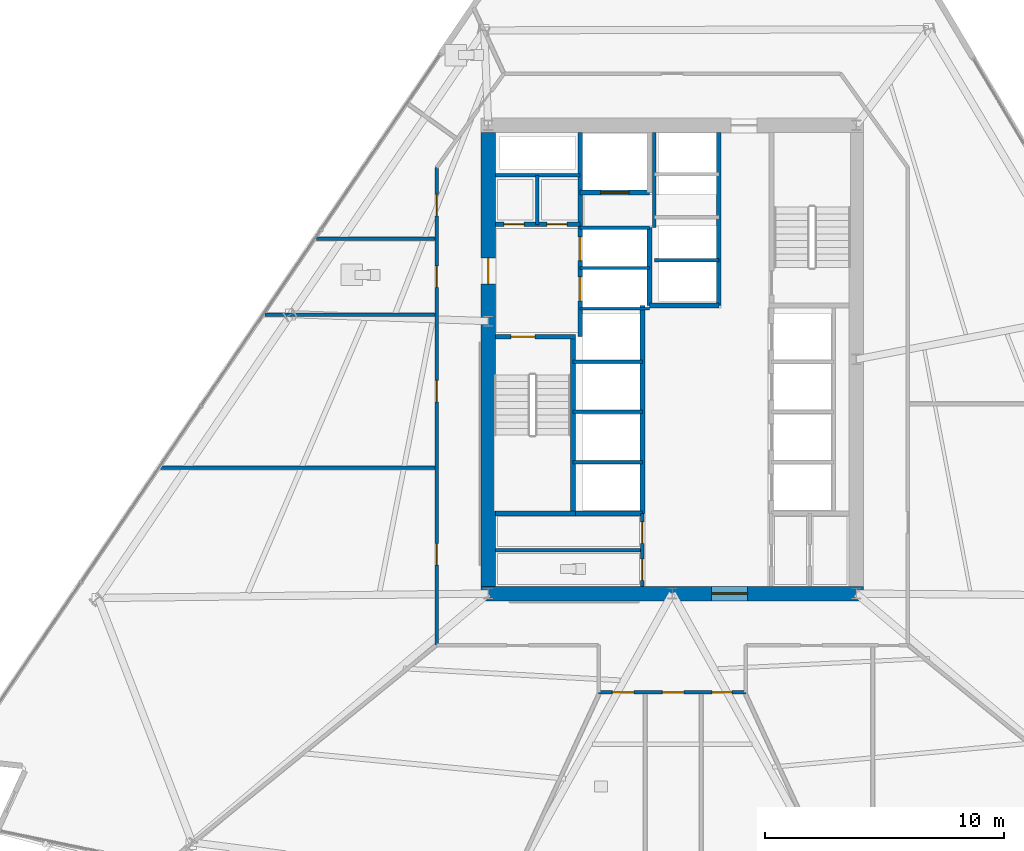
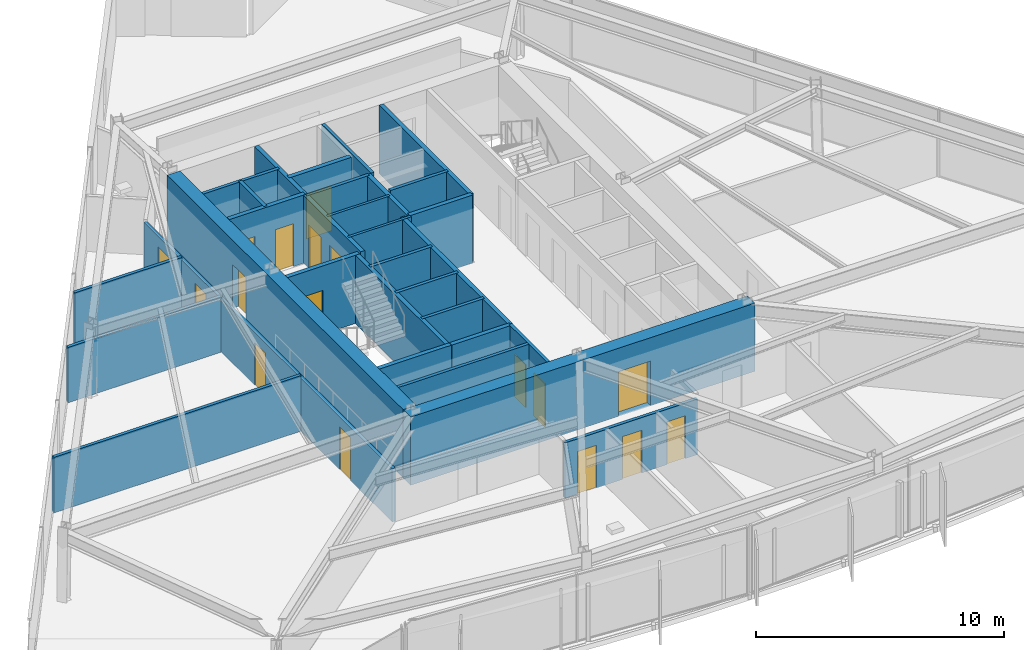
# One storey, part 9 of 18: 30 walls, 17 doors, 17 openings.
"""IFC4 building model written with IfcOpenShell, lengths in metres."""

from ifc_helpers import new_model, si_unit, direction, frame, frame_2d, origin, place, context, subcontext, project, spatial, rectangle, extrude, material, layer, layer_set, type_object, element, fill, save


model = new_model("IFC4")

# Units and contexts
model_context = context("Model", 3, precision=1e-05, world=origin(), true_north=direction((0.0, 1.0)))
body_context = subcontext(model_context, "Body", "Model", "MODEL_VIEW")
ifc_project = project(units=[si_unit("LENGTHUNIT", "METRE"), si_unit("AREAUNIT", "SQUARE_METRE"), si_unit("VOLUMEUNIT", "CUBIC_METRE"), si_unit("PLANEANGLEUNIT", "RADIAN"), si_unit("MASSUNIT", "GRAM", prefix="KILO")], contexts=[model_context])

# Site, building, storey
site_placement = place(None, origin())
site = spatial("IfcSite", under=ifc_project, at=site_placement, CompositionType="ELEMENT")
building_placement = place(site_placement, origin())
building = spatial("IfcBuilding", under=site, at=building_placement, Name="Savorim Split Tower", CompositionType="ELEMENT")
storey_placement = place(building_placement, frame((0.0, 0.0, 37.199951171875)))
storey = spatial("IfcBuildingStorey", under=building, at=storey_placement, Name="L09", CompositionType="ELEMENT", Elevation=37.199951171875)

# Wall, opening, door
ifc_material_1 = material(Name="Concrete C60/75", Category="concrete")
ifc_layer_1 = layer(ifc_material_1, 0.60009765625)
ifc_layer_set_1 = layer_set([ifc_layer_1], Name="WAL-COR-SH600")
wall_type_1 = type_object("IfcWallType", Name="WAL-COR-SH600", PredefinedType="SHEAR", material=ifc_layer_set_1)
wall_1_placement = place(storey_placement, frame((-8.0, -9.39990234375, 0.0), z_axis=(0.0, 0.0, 1.0), x_axis=(1.0, 0.0, 0.0)))
wall_1 = element("IfcWall", 1, at=wall_1_placement, inside=storey, type_object=wall_type_1, Name="L09 Offset Core South Shear Wall", PredefinedType="SHEAR", context=body_context, shape_type="SweptSolid", body=[
    extrude(rectangle(XDim=16.0, YDim=0.60009765625, at=frame_2d((8.0, 0.0))), origin(), (0.0, 0.0, 1.0), 3.35009765625),
])
opening_1_placement = place(wall_1_placement, frame((9.64990234375, 0.0, 0.0)))
opening_1 = element("IfcOpeningElement", 2, at=opening_1_placement, cuts=wall_1, Name="Opening DI-02", PredefinedType="OPENING", context=body_context, shape_type="SweptSolid", body=[
    extrude(rectangle(XDim=1.5, YDim=2.199951171875, at=frame_2d((0.75, 1.10009765625))), frame((0.0, 0.31005859375, 0.0), z_axis=(0.0, -1.0, 0.0), x_axis=(1.0, 0.0, 0.0)), (0.0, 0.0, 1.0), 0.6201171875),
])
ifc_material_2 = material(Name="Timber Fire Door Leaf", Category="wood")
door_type_1 = type_object("IfcDoorType", Name="DOR-DBL-1500", OperationType="NOTDEFINED", PredefinedType="DOOR", material=ifc_material_2)
door_1_placement = place(opening_1_placement, origin())
door_1 = element("IfcDoor", 3, at=door_1_placement, inside=storey, type_object=door_type_1, Name="DOR-L09-COR-LLOB - L09 Lift Lobby Main Rated Door", OperationType="DOUBLE_DOOR_SINGLE_SWING", OverallHeight=2.199951171875, OverallWidth=1.5, PredefinedType="DOOR", context=body_context, shape_type="SweptSolid", body=[
    extrude(rectangle(XDim=1.5, YDim=2.199951171875, at=frame_2d((0.75, 1.10009765625))), frame((0.0, 0.02490234375, 0.0), z_axis=(0.0, -1.0, 0.0), x_axis=(1.0, 0.0, 0.0)), (0.0, 0.0, 1.0), 0.050048828125),
])
fill(opening_1, door_1)

wall_2_placement = place(storey_placement, frame((-7.699951171875, -9.10009765625, 0.0), z_axis=(0.0, 0.0, 1.0), x_axis=(0.0, 1.0, 0.0)))
wall_2 = element("IfcWall", 4, at=wall_2_placement, inside=storey, type_object=wall_type_1, Name="L09 Offset Core West Shear Wall", PredefinedType="SHEAR", context=body_context, shape_type="SweptSolid", body=[
    extrude(rectangle(XDim=19.0, YDim=0.60009765625, at=frame_2d((9.5, 0.0))), origin(), (0.0, 0.0, 1.0), 3.35009765625),
])
opening_2_placement = place(wall_2_placement, frame((12.64990234375, 0.0, 0.0)))
opening_2 = element("IfcOpeningElement", 5, at=opening_2_placement, cuts=wall_2, Name="Opening DI-03", PredefinedType="OPENING", context=body_context, shape_type="SweptSolid", body=[
    extrude(rectangle(XDim=1.10009765625, YDim=2.14990234375, at=frame_2d((0.550048828125, 1.074951171875))), frame((0.0, 0.31005859375, 0.0), z_axis=(0.0, -1.0, 0.0), x_axis=(1.0, 0.0, 0.0)), (0.0, 0.0, 1.0), 0.6201171875),
])
door_type_2 = type_object("IfcDoorType", Name="DOR-FIR-1100", OperationType="NOTDEFINED", PredefinedType="DOOR", material=ifc_material_2)
door_2_placement = place(opening_2_placement, origin())
door_2 = element("IfcDoor", 6, at=door_2_placement, inside=storey, type_object=door_type_2, Name="DOR-L09-COR-FFLOB - L09 Firefighting Lobby Corridor Door", OperationType="SINGLE_SWING_LEFT", OverallHeight=2.14990234375, OverallWidth=1.10009765625, PredefinedType="DOOR", context=body_context, shape_type="SweptSolid", body=[
    extrude(rectangle(XDim=1.10009765625, YDim=2.14990234375, at=frame_2d((0.550048828125, 1.074951171875))), frame((0.0, 0.02490234375, 0.0), z_axis=(0.0, -1.0, 0.0), x_axis=(1.0, 0.0, 0.0)), (0.0, 0.0, 1.0), 0.050048828125),
])
fill(opening_2, door_2)

ifc_material_3 = material(Name="Concrete C50/60", Category="concrete")
ifc_layer_2 = layer(ifc_material_3, 0.199951171875)
ifc_layer_set_2 = layer_set([ifc_layer_2], Name="WAL-INT-RC200")
wall_type_2 = type_object("IfcWallType", Name="WAL-INT-RC200", PredefinedType="SOLIDWALL", material=ifc_layer_set_2)
wall_3_placement = place(storey_placement, frame((-7.39990234375, 1.35009765625, 0.0), z_axis=(0.0, 0.0, 1.0), x_axis=(1.0, 0.0, 0.0)))
wall_3 = element("IfcWall", 7, at=wall_3_placement, inside=storey, type_object=wall_type_2, Name="L09 Structural Shaft Wall W-L09-CR01", PredefinedType="SOLIDWALL", context=body_context, shape_type="SweptSolid", body=[
    extrude(rectangle(XDim=3.349853515625, YDim=0.199951171875, at=frame_2d((1.6748046875, 0.0))), origin(), (0.0, 0.0, 1.0), 3.35009765625),
])
opening_3_placement = place(wall_3_placement, frame((0.64990234375, 0.0, 0.0)))
opening_3 = element("IfcOpeningElement", 8, at=opening_3_placement, cuts=wall_3, Name="Opening DI-04", PredefinedType="OPENING", context=body_context, shape_type="SweptSolid", body=[
    extrude(rectangle(XDim=1.0, YDim=2.14990234375, at=frame_2d((0.5, 1.074951171875))), frame((0.0, 0.10986328125, 0.0), z_axis=(0.0, -1.0, 0.0), x_axis=(1.0, 0.0, 0.0)), (0.0, 0.0, 1.0), 0.219970703125),
])
door_type_3 = type_object("IfcDoorType", Name="DOR-FIR-1000", OperationType="NOTDEFINED", PredefinedType="DOOR", material=ifc_material_2)
door_3_placement = place(opening_3_placement, origin())
door_3 = element("IfcDoor", 9, at=door_3_placement, inside=storey, type_object=door_type_3, Name="DR-L09-ST1 - L09 Stair ST-1 Enclosure Door", OperationType="SINGLE_SWING_LEFT", OverallHeight=2.14990234375, OverallWidth=1.0, PredefinedType="DOOR", context=body_context, shape_type="SweptSolid", body=[
    extrude(rectangle(XDim=1.0, YDim=2.14990234375, at=frame_2d((0.5, 1.074951171875))), frame((0.0, 0.02490234375, 0.0), z_axis=(0.0, -1.0, 0.0), x_axis=(1.0, 0.0, 0.0)), (0.0, 0.0, 1.0), 0.050048828125),
])
fill(opening_3, door_3)

# Wall
wall_4_placement = place(storey_placement, frame((-4.14990234375, -5.949951171875, 0.0), z_axis=(0.0, 0.0, 1.0), x_axis=(0.0, 1.0, 0.0)))
element("IfcWall", 10, at=wall_4_placement, inside=storey, type_object=wall_type_2, Name="L09 Structural Shaft Wall W-L09-CR02", PredefinedType="SOLIDWALL", context=body_context, shape_type="SweptSolid", body=[
    extrude(rectangle(XDim=7.199951171875, YDim=0.199951171875, at=frame_2d((3.60009765625, 0.0))), origin(), (0.0, 0.0, 1.0), 3.35009765625),
])

# Wall, openings, doors
wall_5_placement = place(storey_placement, frame((-3.85009765625, 1.35009765625, 0.0), z_axis=(0.0, 0.0, 1.0), x_axis=(0.0, 1.0, 0.0)))
wall_5 = element("IfcWall", 11, at=wall_5_placement, inside=storey, type_object=wall_type_2, Name="L09 Partition W-L09-CR03", PredefinedType="SOLIDWALL", context=body_context, shape_type="SweptSolid", body=[
    extrude(rectangle(XDim=8.544921875, YDim=0.199951171875, at=frame_2d((4.2724609375, 0.0))), origin(), (0.0, 0.0, 1.0), 3.35009765625),
])
opening_4_placement = place(wall_5_placement, frame((1.5, 0.0, 0.0)))
opening_4 = element("IfcOpeningElement", 12, at=opening_4_placement, cuts=wall_5, Name="Opening LD-FFL", PredefinedType="OPENING", context=body_context, shape_type="SweptSolid", body=[
    extrude(rectangle(XDim=1.0, YDim=2.14990234375, at=frame_2d((0.5, 1.074951171875))), frame((0.0, 0.10986328125, 0.0), z_axis=(0.0, -1.0, 0.0), x_axis=(1.0, 0.0, 0.0)), (0.0, 0.0, 1.0), 0.219970703125),
])
opening_5_placement = place(wall_5_placement, frame((3.179931640625, 0.0, 0.0)))
opening_5 = element("IfcOpeningElement", 13, at=opening_5_placement, cuts=wall_5, Name="Opening LD-FFL", PredefinedType="OPENING", context=body_context, shape_type="SweptSolid", body=[
    extrude(rectangle(XDim=1.0, YDim=2.14990234375, at=frame_2d((0.5, 1.074951171875))), frame((0.0, 0.10986328125, 0.0), z_axis=(0.0, -1.0, 0.0), x_axis=(1.0, 0.0, 0.0)), (0.0, 0.0, 1.0), 0.219970703125),
])
ifc_material_4 = material(Name="Charcoal Anodised Aluminium", Category="aluminium")
door_type_4 = type_object("IfcDoorType", Name="DOR-SLD-LD1000", OperationType="NOTDEFINED", PredefinedType="DOOR", material=ifc_material_4)
door_4_placement = place(opening_4_placement, origin())
door_4 = element("IfcDoor", 14, at=door_4_placement, inside=storey, type_object=door_type_4, Name="DR-L09-LD-FFL1 - L09 Firefighting Lift FFL-1 Sliding Landing Door", OperationType="DOUBLE_DOOR_SLIDING", OverallHeight=2.14990234375, OverallWidth=1.0, PredefinedType="DOOR", context=body_context, shape_type="SweptSolid", body=[
    extrude(rectangle(XDim=1.0, YDim=2.14990234375, at=frame_2d((0.5, 1.074951171875))), frame((0.0, 0.02490234375, 0.0), z_axis=(0.0, -1.0, 0.0), x_axis=(1.0, 0.0, 0.0)), (0.0, 0.0, 1.0), 0.050048828125),
])
fill(opening_4, door_4)
door_5_placement = place(opening_5_placement, origin())
door_5 = element("IfcDoor", 15, at=door_5_placement, inside=storey, type_object=door_type_4, Name="DR-L09-LD-FFL2 - L09 Firefighting Lift FFL-2 Sliding Landing Door", OperationType="DOUBLE_DOOR_SLIDING", OverallHeight=2.14990234375, OverallWidth=1.0, PredefinedType="DOOR", context=body_context, shape_type="SweptSolid", body=[
    extrude(rectangle(XDim=1.0, YDim=2.14990234375, at=frame_2d((0.5, 1.074951171875))), frame((0.0, 0.02490234375, 0.0), z_axis=(0.0, -1.0, 0.0), x_axis=(1.0, 0.0, 0.0)), (0.0, 0.0, 1.0), 0.050048828125),
])
fill(opening_5, door_5)

wall_6_placement = place(storey_placement, frame((-7.39501953125, 6.050048828125, 0.0), z_axis=(0.0, 0.0, 1.0), x_axis=(1.0, 0.0, 0.0)))
wall_6 = element("IfcWall", 16, at=wall_6_placement, inside=storey, type_object=wall_type_2, Name="L09 Partition W-L09-CR04", PredefinedType="SOLIDWALL", context=body_context, shape_type="SweptSolid", body=[
    extrude(rectangle(XDim=3.544921875, YDim=0.199951171875, at=frame_2d((1.7724609375, 0.0))), origin(), (0.0, 0.0, 1.0), 3.35009765625),
])
opening_6_placement = place(wall_6_placement, frame((0.344970703125, 0.0, 0.0)))
opening_6 = element("IfcOpeningElement", 17, at=opening_6_placement, cuts=wall_6, Name="Opening DI-12", PredefinedType="OPENING", context=body_context, shape_type="SweptSolid", body=[
    extrude(rectangle(XDim=0.85009765625, YDim=2.10009765625, at=frame_2d((0.425048828125, 1.050048828125))), frame((0.0, 0.10986328125, 0.0), z_axis=(0.0, -1.0, 0.0), x_axis=(1.0, 0.0, 0.0)), (0.0, 0.0, 1.0), 0.219970703125),
])
opening_7_placement = place(wall_6_placement, frame((2.14501953125, 0.0, 0.0)))
opening_7 = element("IfcOpeningElement", 18, at=opening_7_placement, cuts=wall_6, Name="Opening DI-12", PredefinedType="OPENING", context=body_context, shape_type="SweptSolid", body=[
    extrude(rectangle(XDim=0.85009765625, YDim=2.10009765625, at=frame_2d((0.425048828125, 1.050048828125))), frame((0.0, 0.10986328125, 0.0), z_axis=(0.0, -1.0, 0.0), x_axis=(1.0, 0.0, 0.0)), (0.0, 0.0, 1.0), 0.219970703125),
])
ifc_material_5 = material(Name="Galvanised Painted Steel Balustrade", Category="steel")
door_type_5 = type_object("IfcDoorType", Name="DOR-RIS-850", OperationType="NOTDEFINED", PredefinedType="DOOR", material=ifc_material_5)
door_6_placement = place(opening_6_placement, origin())
door_6 = element("IfcDoor", 19, at=door_6_placement, inside=storey, type_object=door_type_5, Name="DR-L09-ELR - L09 Electrical Riser Access Door", OperationType="SINGLE_SWING_RIGHT", OverallHeight=2.10009765625, OverallWidth=0.85009765625, PredefinedType="DOOR", context=body_context, shape_type="SweptSolid", body=[
    extrude(rectangle(XDim=0.85009765625, YDim=2.10009765625, at=frame_2d((0.425048828125, 1.050048828125))), frame((0.0, 0.02490234375, 0.0), z_axis=(0.0, -1.0, 0.0), x_axis=(1.0, 0.0, 0.0)), (0.0, 0.0, 1.0), 0.050048828125),
])
fill(opening_6, door_6)
door_7_placement = place(opening_7_placement, origin())
door_7 = element("IfcDoor", 20, at=door_7_placement, inside=storey, type_object=door_type_5, Name="DR-L09-TLR - L09 Telecom Riser Access Door", OperationType="SINGLE_SWING_LEFT", OverallHeight=2.10009765625, OverallWidth=0.85009765625, PredefinedType="DOOR", context=body_context, shape_type="SweptSolid", body=[
    extrude(rectangle(XDim=0.85009765625, YDim=2.10009765625, at=frame_2d((0.425048828125, 1.050048828125))), frame((0.0, 0.02490234375, 0.0), z_axis=(0.0, -1.0, 0.0), x_axis=(1.0, 0.0, 0.0)), (0.0, 0.0, 1.0), 0.050048828125),
])
fill(opening_7, door_7)

# Wall
wall_7_placement = place(storey_placement, frame((-0.949951171875, 2.64990234375, 0.0), z_axis=(0.0, 0.0, 1.0), x_axis=(0.0, 1.0, 0.0)))
element("IfcWall", 21, at=wall_7_placement, inside=storey, type_object=wall_type_2, Name="L09 Partition W-L09-FFLW", PredefinedType="SOLIDWALL", context=body_context, shape_type="SweptSolid", body=[
    extrude(rectangle(XDim=3.27001953125, YDim=0.199951171875, at=frame_2d((1.635009765625, 0.0))), origin(), (0.0, 0.0, 1.0), 3.35009765625),
])

# Wall, opening, door
wall_8_placement = place(storey_placement, frame((-3.85009765625, 7.3798828125, 0.0), z_axis=(0.0, 0.0, 1.0), x_axis=(1.0, 0.0, 0.0)))
wall_8 = element("IfcWall", 22, at=wall_8_placement, inside=storey, type_object=wall_type_2, Name="L09 Partition W-L09-SVLS", PredefinedType="SOLIDWALL", context=body_context, shape_type="SweptSolid", body=[
    extrude(rectangle(XDim=2.900146484375, YDim=0.199951171875, at=frame_2d((1.4501953125, 0.0))), origin(), (0.0, 0.0, 1.0), 3.35009765625),
])
opening_8_placement = place(wall_8_placement, frame((0.85009765625, 0.0, 0.0)))
opening_8 = element("IfcOpeningElement", 23, at=opening_8_placement, cuts=wall_8, Name="Opening LD-SV", PredefinedType="OPENING", context=body_context, shape_type="SweptSolid", body=[
    extrude(rectangle(XDim=1.199951171875, YDim=2.199951171875, at=frame_2d((0.60009765625, 1.10009765625))), frame((0.0, 0.10986328125, 0.0), z_axis=(0.0, -1.0, 0.0), x_axis=(1.0, 0.0, 0.0)), (0.0, 0.0, 1.0), 0.219970703125),
])
door_type_6 = type_object("IfcDoorType", Name="DOR-SLD-SV1200", OperationType="NOTDEFINED", PredefinedType="DOOR", material=ifc_material_4)
door_8_placement = place(opening_8_placement, origin())
door_8 = element("IfcDoor", 24, at=door_8_placement, inside=storey, type_object=door_type_6, Name="DR-L09-LD-SVL1 - L09 Service Lift SVL-1 Sliding Landing Door", OperationType="DOUBLE_DOOR_SLIDING", OverallHeight=2.199951171875, OverallWidth=1.199951171875, PredefinedType="DOOR", context=body_context, shape_type="SweptSolid", body=[
    extrude(rectangle(XDim=1.199951171875, YDim=2.199951171875, at=frame_2d((0.60009765625, 1.10009765625))), frame((0.0, 0.02490234375, 0.0), z_axis=(0.0, -1.0, 0.0), x_axis=(1.0, 0.0, 0.0)), (0.0, 0.0, 1.0), 0.050048828125),
])
fill(opening_8, door_8)

# Walls
wall_9_placement = place(storey_placement, frame((-1.25, -6.050048828125, 0.0), z_axis=(0.0, 0.0, 1.0), x_axis=(0.0, 1.0, 0.0)))
element("IfcWall", 25, at=wall_9_placement, inside=storey, type_object=wall_type_2, Name="L09 Partition W-L09-B2FRONT", PredefinedType="SOLIDWALL", context=body_context, shape_type="SweptSolid", body=[
    extrude(rectangle(XDim=8.699951171875, YDim=0.199951171875, at=frame_2d((4.35009765625, 0.0))), origin(), (0.0, 0.0, 1.0), 3.35009765625),
])
wall_10_placement = place(storey_placement, frame((1.949951171875, 2.64990234375, 0.0), z_axis=(0.0, 0.0, 1.0), x_axis=(0.0, 1.0, 0.0)))
element("IfcWall", 26, at=wall_10_placement, inside=storey, type_object=wall_type_2, Name="L09 Partition W-L09-B3FRONT", PredefinedType="SOLIDWALL", context=body_context, shape_type="SweptSolid", body=[
    extrude(rectangle(XDim=7.2451171875, YDim=0.199951171875, at=frame_2d((3.62255859375, 0.0))), origin(), (0.0, 0.0, 1.0), 3.35009765625),
])
wall_11_placement = place(storey_placement, frame((-0.949951171875, 2.64990234375, 0.0), z_axis=(0.0, 0.0, 1.0), x_axis=(1.0, 0.0, 0.0)))
element("IfcWall", 27, at=wall_11_placement, inside=storey, type_object=wall_type_2, Name="L09 Partition W-L09-B3SOUTH", PredefinedType="SOLIDWALL", context=body_context, shape_type="SweptSolid", body=[
    extrude(rectangle(XDim=2.89990234375, YDim=0.199951171875, at=frame_2d((1.449951171875, 0.0))), origin(), (0.0, 0.0, 1.0), 3.35009765625),
])
wall_12_placement = place(storey_placement, frame((-7.39990234375, -6.050048828125, 0.0), z_axis=(0.0, 0.0, 1.0), x_axis=(1.0, 0.0, 0.0)))
element("IfcWall", 28, at=wall_12_placement, inside=storey, type_object=wall_type_2, Name="L09 Structural Shaft Wall W-L09-KSEP-W", PredefinedType="SOLIDWALL", context=body_context, shape_type="SweptSolid", body=[
    extrude(rectangle(XDim=3.349853515625, YDim=0.199951171875, at=frame_2d((1.6748046875, 0.0))), origin(), (0.0, 0.0, 1.0), 3.35009765625),
])
wall_13_placement = place(storey_placement, frame((-4.0400390625, -6.050048828125, 0.0), z_axis=(0.0, 0.0, 1.0), x_axis=(1.0, 0.0, 0.0)))
element("IfcWall", 29, at=wall_13_placement, inside=storey, type_object=wall_type_2, Name="L09 Partition W-L09-KSEP-W2", PredefinedType="SOLIDWALL", context=body_context, shape_type="SweptSolid", body=[
    extrude(rectangle(XDim=2.7900390625, YDim=0.199951171875, at=frame_2d((1.39501953125, 0.0))), origin(), (0.0, 0.0, 1.0), 3.35009765625),
])
ifc_material_6 = material(Name="Acoustic Gypsum Partition Board")
ifc_layer_3 = layer(ifc_material_6, 0.1201171875)
ifc_layer_set_3 = layer_set([ifc_layer_3], Name="WAL-PAR-120")
wall_type_3 = type_object("IfcWallType", Name="WAL-PAR-120", PredefinedType="PARTITIONING", material=ifc_layer_set_3)
for number, where, z_axis, x_axis, name in (
    (30, (-3.85009765625, 2.52001953125, 0.0), (0.0, 0.0, 1.0), (1.0, 0.0, 0.0), "L09 Partition W-L09-FFLD0"),
    (31, (-3.85009765625, 4.219970703125, 0.0), (0.0, 0.0, 1.0), (1.0, 0.0, 0.0), "L09 Partition W-L09-FFLD1"),
):
    element("IfcWall", number, at=place(storey_placement, frame(where, z_axis=z_axis, x_axis=x_axis)), inside=storey, type_object=wall_type_3, Name=name, PredefinedType="PARTITIONING", context=body_context, shape_type="SweptSolid", body=[
        extrude(rectangle(XDim=2.900146484375, YDim=0.1201171875, at=frame_2d((1.4501953125, 0.0))), origin(), (0.0, 0.0, 1.0), 3.35009765625),
    ])
ifc_layer_4 = layer(ifc_material_6, 0.14990234375)
ifc_layer_set_4 = layer_set([ifc_layer_4], Name="WAL-PAR-150")
wall_type_4 = type_object("IfcWallType", Name="WAL-PAR-150", PredefinedType="PARTITIONING", material=ifc_layer_set_4)
wall_14_placement = place(storey_placement, frame((-7.39501953125, 8.10009765625, 0.0), z_axis=(0.0, 0.0, 1.0), x_axis=(1.0, 0.0, 0.0)))
element("IfcWall", 32, at=wall_14_placement, inside=storey, type_object=wall_type_4, Name="L09 Partition W-L09-CR05", PredefinedType="PARTITIONING", context=body_context, shape_type="SweptSolid", body=[
    extrude(rectangle(XDim=3.544921875, YDim=0.14990234375, at=frame_2d((1.7724609375, 0.0))), origin(), (0.0, 0.0, 1.0), 3.35009765625),
])
wall_15_placement = place(storey_placement, frame((-5.64990234375, 6.050048828125, 0.0), z_axis=(0.0, 0.0, 1.0), x_axis=(0.0, 1.0, 0.0)))
element("IfcWall", 33, at=wall_15_placement, inside=storey, type_object=wall_type_4, Name="L09 Partition W-L09-CR06", PredefinedType="PARTITIONING", context=body_context, shape_type="SweptSolid", body=[
    extrude(rectangle(XDim=2.050048828125, YDim=0.14990234375, at=frame_2d((1.02490234375, 0.0))), origin(), (0.0, 0.0, 1.0), 3.35009765625),
])
wall_16_placement = place(storey_placement, frame((-3.85009765625, 5.89990234375, 0.0), z_axis=(0.0, 0.0, 1.0), x_axis=(1.0, 0.0, 0.0)))
element("IfcWall", 34, at=wall_16_placement, inside=storey, type_object=wall_type_4, Name="L09 Partition W-L09-FFLD2", PredefinedType="PARTITIONING", context=body_context, shape_type="SweptSolid", body=[
    extrude(rectangle(XDim=2.900146484375, YDim=0.14990234375, at=frame_2d((1.4501953125, 0.0))), origin(), (0.0, 0.0, 1.0), 3.35009765625),
])
for number, where, z_axis, x_axis, name in (
    (35, (-4.14990234375, -3.89990234375, 0.0), (0.0, 0.0, 1.0), (1.0, 0.0, 0.0), "L09 Partition W-L09-B2DIV1"),
    (36, (-4.14990234375, -1.800048828125, 0.0), (0.0, 0.0, 1.0), (1.0, 0.0, 0.0), "L09 Partition W-L09-B2DIV2"),
    (37, (-4.14990234375, 0.300048828125, 0.0), (0.0, 0.0, 1.0), (1.0, 0.0, 0.0), "L09 Partition W-L09-B2DIV3"),
):
    element("IfcWall", number, at=place(storey_placement, frame(where, z_axis=z_axis, x_axis=x_axis)), inside=storey, type_object=wall_type_4, Name=name, PredefinedType="PARTITIONING", context=body_context, shape_type="SweptSolid", body=[
        extrude(rectangle(XDim=2.89990234375, YDim=0.14990234375, at=frame_2d((1.449951171875, 0.0))), origin(), (0.0, 0.0, 1.0), 3.35009765625),
    ])
wall_17_placement = place(storey_placement, frame((-0.75, 5.919921875, 0.0), z_axis=(0.0, 0.0, 1.0), x_axis=(0.0, 1.0, 0.0)))
element("IfcWall", 38, at=wall_17_placement, inside=storey, type_object=wall_type_4, Name="L09 Partition W-L09-B3WEST", PredefinedType="PARTITIONING", context=body_context, shape_type="SweptSolid", body=[
    extrude(rectangle(XDim=3.97509765625, YDim=0.14990234375, at=frame_2d((1.987548828125, 0.0))), origin(), (0.0, 0.0, 1.0), 3.35009765625),
])
wall_18_placement = place(storey_placement, frame((-0.75, 4.550048828125, 0.0), z_axis=(0.0, 0.0, 1.0), x_axis=(1.0, 0.0, 0.0)))
element("IfcWall", 39, at=wall_18_placement, inside=storey, type_object=wall_type_4, Name="L09 Partition W-L09-B3DIV1", PredefinedType="PARTITIONING", context=body_context, shape_type="SweptSolid", body=[
    extrude(rectangle(XDim=2.699951171875, YDim=0.14990234375, at=frame_2d((1.35009765625, 0.0))), origin(), (0.0, 0.0, 1.0), 3.35009765625),
])

# Wall, openings, doors
wall_19_placement = place(storey_placement, frame((-1.25, -9.094970703125, 0.0), z_axis=(0.0, 0.0, 1.0), x_axis=(0.0, 1.0, 0.0)))
wall_19 = element("IfcWall", 40, at=wall_19_placement, inside=storey, type_object=wall_type_4, Name="L09 Partition W-L09-KLOB-W", PredefinedType="PARTITIONING", context=body_context, shape_type="SweptSolid", body=[
    extrude(rectangle(XDim=3.044921875, YDim=0.14990234375, at=frame_2d((1.5224609375, 0.0))), origin(), (0.0, 0.0, 1.0), 3.35009765625),
])
opening_9_placement = place(wall_19_placement, frame((1.794921875, 0.0, 0.0)))
opening_9 = element("IfcOpeningElement", 41, at=opening_9_placement, cuts=wall_19, Name="Opening DI-06", PredefinedType="OPENING", context=body_context, shape_type="SweptSolid", body=[
    extrude(rectangle(XDim=0.89990234375, YDim=2.10009765625, at=frame_2d((0.449951171875, 1.050048828125))), frame((0.0, 0.0849609375, 0.0), z_axis=(0.0, -1.0, 0.0), x_axis=(1.0, 0.0, 0.0)), (0.0, 0.0, 1.0), 0.169921875),
])
opening_10_placement = place(wall_19_placement, frame((0.2451171875, 0.0, 0.0)))
opening_10 = element("IfcOpeningElement", 42, at=opening_10_placement, cuts=wall_19, Name="Opening DI-11", PredefinedType="OPENING", context=body_context, shape_type="SweptSolid", body=[
    extrude(rectangle(XDim=0.89990234375, YDim=2.10009765625, at=frame_2d((0.449951171875, 1.050048828125))), frame((0.0, 0.0849609375, 0.0), z_axis=(0.0, -1.0, 0.0), x_axis=(1.0, 0.0, 0.0)), (0.0, 0.0, 1.0), 0.169921875),
])
door_type_7 = type_object("IfcDoorType", Name="DOR-FIR-900", OperationType="NOTDEFINED", PredefinedType="DOOR", material=ifc_material_2)
door_9_placement = place(opening_9_placement, origin())
door_9 = element("IfcDoor", 43, at=door_9_placement, inside=storey, type_object=door_type_7, Name="DR-L09-K2CLN - L09 Cleaning Store Door", OperationType="SINGLE_SWING_LEFT", OverallHeight=2.10009765625, OverallWidth=0.89990234375, PredefinedType="DOOR", context=body_context, shape_type="SweptSolid", body=[
    extrude(rectangle(XDim=0.89990234375, YDim=2.10009765625, at=frame_2d((0.449951171875, 1.050048828125))), frame((0.0, 0.02490234375, 0.0), z_axis=(0.0, -1.0, 0.0), x_axis=(1.0, 0.0, 0.0)), (0.0, 0.0, 1.0), 0.050048828125),
])
fill(opening_9, door_9)
ifc_material_7 = material(Name="Oak Veneer Acoustic Door")
door_type_8 = type_object("IfcDoorType", Name="DOR-WC-900", OperationType="NOTDEFINED", PredefinedType="DOOR", material=ifc_material_7)
door_10_placement = place(opening_10_placement, origin())
door_10 = element("IfcDoor", 44, at=door_10_placement, inside=storey, type_object=door_type_8, Name="DR-L09-K2WC - L09 Core WC Door", OperationType="SINGLE_SWING_RIGHT", OverallHeight=2.10009765625, OverallWidth=0.89990234375, PredefinedType="DOOR", context=body_context, shape_type="SweptSolid", body=[
    extrude(rectangle(XDim=0.89990234375, YDim=2.10009765625, at=frame_2d((0.449951171875, 1.050048828125))), frame((0.0, 0.02490234375, 0.0), z_axis=(0.0, -1.0, 0.0), x_axis=(1.0, 0.0, 0.0)), (0.0, 0.0, 1.0), 0.050048828125),
])
fill(opening_10, door_10)

# Wall
wall_20_placement = place(storey_placement, frame((-7.39501953125, -7.580078125, 0.0), z_axis=(0.0, 0.0, 1.0), x_axis=(1.0, 0.0, 0.0)))
element("IfcWall", 45, at=wall_20_placement, inside=storey, type_object=wall_type_4, Name="L09 Partition W-L09-K2H", PredefinedType="PARTITIONING", context=body_context, shape_type="SweptSolid", body=[
    extrude(rectangle(XDim=6.14501953125, YDim=0.14990234375, at=frame_2d((3.072509765625, 0.0))), origin(), (0.0, 0.0, 1.0), 3.35009765625),
])

# Wall, openings, doors
wall_21_placement = place(storey_placement, frame((-9.860107421875, -11.56005859375, 0.0), z_axis=(0.0, 0.0, 1.0), x_axis=(0.0, 1.0, 0.0)))
wall_21 = element("IfcWall", 46, at=wall_21_placement, inside=storey, type_object=wall_type_4, Name="L09 Partition W-L09-COR-01", PredefinedType="PARTITIONING", context=body_context, shape_type="SweptSolid", body=[
    extrude(rectangle(XDim=19.98583984375, YDim=0.14990234375, at=frame_2d((9.992919921875, 0.0))), origin(), (0.0, 0.0, 1.0), 2.609130859375),
])
opening_11_placement = place(wall_21_placement, frame((10.17919921875, 0.0, 0.0)))
opening_11 = element("IfcOpeningElement", 47, at=opening_11_placement, cuts=wall_21, Name="Opening DI-06", PredefinedType="OPENING", context=body_context, shape_type="SweptSolid", body=[
    extrude(rectangle(XDim=0.89990234375, YDim=2.10009765625, at=frame_2d((0.449951171875, 1.050048828125))), frame((0.0, 0.0849609375, 0.0), z_axis=(0.0, -1.0, 0.0), x_axis=(1.0, 0.0, 0.0)), (0.0, 0.0, 1.0), 0.169921875),
])
opening_12_placement = place(wall_21_placement, frame((3.3515625, 0.0, 0.0)))
opening_12 = element("IfcOpeningElement", 48, at=opening_12_placement, cuts=wall_21, Name="Opening DI-06", PredefinedType="OPENING", context=body_context, shape_type="SweptSolid", body=[
    extrude(rectangle(XDim=0.89990234375, YDim=2.10009765625, at=frame_2d((0.449951171875, 1.050048828125))), frame((0.0, 0.0849609375, 0.0), z_axis=(0.0, -1.0, 0.0), x_axis=(1.0, 0.0, 0.0)), (0.0, 0.0, 1.0), 0.169921875),
])
opening_13_placement = place(wall_21_placement, frame((17.961181640625, 0.0, 0.0)))
opening_13 = element("IfcOpeningElement", 49, at=opening_13_placement, cuts=wall_21, Name="Opening DI-06", PredefinedType="OPENING", context=body_context, shape_type="SweptSolid", body=[
    extrude(rectangle(XDim=0.89990234375, YDim=2.10009765625, at=frame_2d((0.449951171875, 1.050048828125))), frame((0.0, 0.0849609375, 0.0), z_axis=(0.0, -1.0, 0.0), x_axis=(1.0, 0.0, 0.0)), (0.0, 0.0, 1.0), 0.169921875),
])
opening_14_placement = place(wall_21_placement, frame((14.974365234375, 0.0, 0.0)))
opening_14 = element("IfcOpeningElement", 50, at=opening_14_placement, cuts=wall_21, Name="Opening DI-11", PredefinedType="OPENING", context=body_context, shape_type="SweptSolid", body=[
    extrude(rectangle(XDim=0.89990234375, YDim=2.10009765625, at=frame_2d((0.449951171875, 1.050048828125))), frame((0.0, 0.0849609375, 0.0), z_axis=(0.0, -1.0, 0.0), x_axis=(1.0, 0.0, 0.0)), (0.0, 0.0, 1.0), 0.169921875),
])
door_11_placement = place(opening_11_placement, origin())
door_11 = element("IfcDoor", 51, at=door_11_placement, inside=storey, type_object=door_type_7, Name="DR-L09-RM01 - L09 Co-Working Commons Entry Door", OperationType="SINGLE_SWING_RIGHT", OverallHeight=2.10009765625, OverallWidth=0.89990234375, PredefinedType="DOOR", context=body_context, shape_type="SweptSolid", body=[
    extrude(rectangle(XDim=0.89990234375, YDim=2.10009765625, at=frame_2d((0.449951171875, 1.050048828125))), frame((0.0, 0.02490234375, 0.0), z_axis=(0.0, -1.0, 0.0), x_axis=(1.0, 0.0, 0.0)), (0.0, 0.0, 1.0), 0.050048828125),
])
fill(opening_11, door_11)
door_12_placement = place(opening_12_placement, origin())
door_12 = element("IfcDoor", 52, at=door_12_placement, inside=storey, type_object=door_type_7, Name="DR-L09-RM02 - L09 Co-Working Commons Entry Door", OperationType="SINGLE_SWING_LEFT", OverallHeight=2.10009765625, OverallWidth=0.89990234375, PredefinedType="DOOR", context=body_context, shape_type="SweptSolid", body=[
    extrude(rectangle(XDim=0.89990234375, YDim=2.10009765625, at=frame_2d((0.449951171875, 1.050048828125))), frame((0.0, 0.02490234375, 0.0), z_axis=(0.0, -1.0, 0.0), x_axis=(1.0, 0.0, 0.0)), (0.0, 0.0, 1.0), 0.050048828125),
])
fill(opening_12, door_12)
door_13_placement = place(opening_13_placement, origin())
door_13 = element("IfcDoor", 53, at=door_13_placement, inside=storey, type_object=door_type_7, Name="DR-L09-RM12 - L09 Co-Living Bedroom Entry Door", OperationType="SINGLE_SWING_LEFT", OverallHeight=2.10009765625, OverallWidth=0.89990234375, PredefinedType="DOOR", context=body_context, shape_type="SweptSolid", body=[
    extrude(rectangle(XDim=0.89990234375, YDim=2.10009765625, at=frame_2d((0.449951171875, 1.050048828125))), frame((0.0, 0.02490234375, 0.0), z_axis=(0.0, -1.0, 0.0), x_axis=(1.0, 0.0, 0.0)), (0.0, 0.0, 1.0), 0.050048828125),
])
fill(opening_13, door_13)
door_14_placement = place(opening_14_placement, origin())
door_14 = element("IfcDoor", 54, at=door_14_placement, inside=storey, type_object=door_type_8, Name="DR-L09-RM13 - L09 Shared Bathroom Entry Door", OperationType="SINGLE_SWING_RIGHT", OverallHeight=2.10009765625, OverallWidth=0.89990234375, PredefinedType="DOOR", context=body_context, shape_type="SweptSolid", body=[
    extrude(rectangle(XDim=0.89990234375, YDim=2.10009765625, at=frame_2d((0.449951171875, 1.050048828125))), frame((0.0, 0.02490234375, 0.0), z_axis=(0.0, -1.0, 0.0), x_axis=(1.0, 0.0, 0.0)), (0.0, 0.0, 1.0), 0.050048828125),
])
fill(opening_14, door_14)

wall_22_placement = place(storey_placement, frame((3.080078125, -13.530029296875, 0.0), z_axis=(0.0, 0.0, 1.0), x_axis=(-1.0, 0.0, 0.0)))
wall_22 = element("IfcWall", 55, at=wall_22_placement, inside=storey, type_object=wall_type_4, Name="L09 Partition W-L09-COR-08", PredefinedType="PARTITIONING", context=body_context, shape_type="SweptSolid", body=[
    extrude(rectangle(XDim=6.16015625, YDim=0.14990234375, at=frame_2d((3.080078125, 0.0))), origin(), (0.0, 0.0, 1.0), 2.72509765625),
])
opening_15_placement = place(wall_22_placement, frame((4.689697265625, 0.0, 0.0)))
opening_15 = element("IfcOpeningElement", 56, at=opening_15_placement, cuts=wall_22, Name="Opening DI-06", PredefinedType="OPENING", context=body_context, shape_type="SweptSolid", body=[
    extrude(rectangle(XDim=0.89990234375, YDim=2.10009765625, at=frame_2d((0.449951171875, 1.050048828125))), frame((0.0, 0.0849609375, 0.0), z_axis=(0.0, -1.0, 0.0), x_axis=(1.0, 0.0, 0.0)), (0.0, 0.0, 1.0), 0.169921875),
])
opening_16_placement = place(wall_22_placement, frame((2.590576171875, 0.0, 0.0)))
opening_16 = element("IfcOpeningElement", 57, at=opening_16_placement, cuts=wall_22, Name="Opening DI-06", PredefinedType="OPENING", context=body_context, shape_type="SweptSolid", body=[
    extrude(rectangle(XDim=0.89990234375, YDim=2.10009765625, at=frame_2d((0.449951171875, 1.050048828125))), frame((0.0, 0.0849609375, 0.0), z_axis=(0.0, -1.0, 0.0), x_axis=(1.0, 0.0, 0.0)), (0.0, 0.0, 1.0), 0.169921875),
])
opening_17_placement = place(wall_22_placement, frame((0.57080078125, 0.0, 0.0)))
opening_17 = element("IfcOpeningElement", 58, at=opening_17_placement, cuts=wall_22, Name="Opening DI-13", PredefinedType="OPENING", context=body_context, shape_type="SweptSolid", body=[
    extrude(rectangle(XDim=0.85009765625, YDim=2.10009765625, at=frame_2d((0.425048828125, 1.050048828125))), frame((0.0, 0.0849609375, 0.0), z_axis=(0.0, -1.0, 0.0), x_axis=(1.0, 0.0, 0.0)), (0.0, 0.0, 1.0), 0.169921875),
])
door_type_9 = type_object("IfcDoorType", Name="DOR-FIR-850", OperationType="NOTDEFINED", PredefinedType="DOOR", material=ifc_material_2)
door_15_placement = place(opening_17_placement, origin())
door_15 = element("IfcDoor", 59, at=door_15_placement, inside=storey, type_object=door_type_9, Name="DR-L09-RM06 - L09 Maker Workshop Entry Door", OperationType="SINGLE_SWING_LEFT", OverallHeight=2.10009765625, OverallWidth=0.85009765625, PredefinedType="DOOR", context=body_context, shape_type="SweptSolid", body=[
    extrude(rectangle(XDim=0.85009765625, YDim=2.10009765625, at=frame_2d((0.425048828125, 1.050048828125))), frame((0.0, 0.02490234375, 0.0), z_axis=(0.0, -1.0, 0.0), x_axis=(1.0, 0.0, 0.0)), (0.0, 0.0, 1.0), 0.050048828125),
])
fill(opening_17, door_15)
door_16_placement = place(opening_15_placement, origin())
door_16 = element("IfcDoor", 60, at=door_16_placement, inside=storey, type_object=door_type_7, Name="DR-L09-RM04 - L09 Shared Kitchen Entry Door", OperationType="SINGLE_SWING_LEFT", OverallHeight=2.10009765625, OverallWidth=0.89990234375, PredefinedType="DOOR", context=body_context, shape_type="SweptSolid", body=[
    extrude(rectangle(XDim=0.89990234375, YDim=2.10009765625, at=frame_2d((0.449951171875, 1.050048828125))), frame((0.0, 0.02490234375, 0.0), z_axis=(0.0, -1.0, 0.0), x_axis=(1.0, 0.0, 0.0)), (0.0, 0.0, 1.0), 0.050048828125),
])
fill(opening_15, door_16)
door_17_placement = place(opening_16_placement, origin())
door_17 = element("IfcDoor", 61, at=door_17_placement, inside=storey, type_object=door_type_7, Name="DR-L09-RM05 - L09 Quiet Study Room Entry Door", OperationType="SINGLE_SWING_RIGHT", OverallHeight=2.10009765625, OverallWidth=0.89990234375, PredefinedType="DOOR", context=body_context, shape_type="SweptSolid", body=[
    extrude(rectangle(XDim=0.89990234375, YDim=2.10009765625, at=frame_2d((0.449951171875, 1.050048828125))), frame((0.0, 0.02490234375, 0.0), z_axis=(0.0, -1.0, 0.0), x_axis=(1.0, 0.0, 0.0)), (0.0, 0.0, 1.0), 0.050048828125),
])
fill(opening_16, door_17)

# Walls
wall_23_placement = place(storey_placement, frame((-9.919921875, 2.2734375, 0.0), z_axis=(0.0, 0.0, 1.0), x_axis=(-1.0, 0.0, 0.0)))
element("IfcWall", 62, at=wall_23_placement, inside=storey, type_object=wall_type_4, Name="L09 Partition W-L09-PRAD09", PredefinedType="PARTITIONING", context=body_context, shape_type="SweptSolid", body=[
    extrude(rectangle(XDim=7.13037109375, YDim=0.14990234375, at=frame_2d((3.565185546875, 0.0))), origin(), (0.0, 0.0, 1.0), 2.72509765625),
])
wall_24_placement = place(storey_placement, frame((-9.919921875, -4.135009765625, 0.0), z_axis=(0.0, 0.0, 1.0), x_axis=(-1.0, 0.0, 0.0)))
element("IfcWall", 63, at=wall_24_placement, inside=storey, type_object=wall_type_4, Name="L09 Partition W-L09-SUB03", PredefinedType="PARTITIONING", context=body_context, shape_type="SweptSolid", body=[
    extrude(rectangle(XDim=11.489990234375, YDim=0.14990234375, at=frame_2d((5.7451171875, 0.0))), origin(), (0.0, 0.0, 1.0), 2.735107421875),
])
wall_25_placement = place(storey_placement, frame((-9.919921875, 5.455078125, 0.0), z_axis=(0.0, 0.0, 1.0), x_axis=(-1.0, 0.0, 0.0)))
element("IfcWall", 64, at=wall_25_placement, inside=storey, type_object=wall_type_4, Name="L09 Partition W-L09-SUB07", PredefinedType="PARTITIONING", context=body_context, shape_type="SweptSolid", body=[
    extrude(rectangle(XDim=4.966064453125, YDim=0.14990234375, at=frame_2d((2.48291015625, 0.0))), origin(), (0.0, 0.0, 1.0), 2.72509765625),
])

save(model, "model.ifc")
